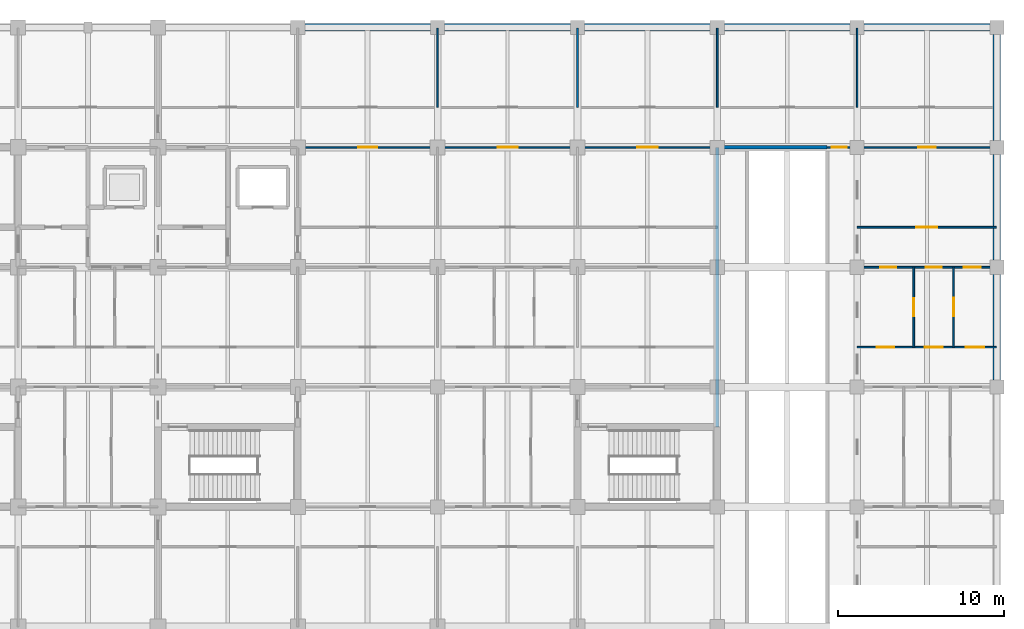
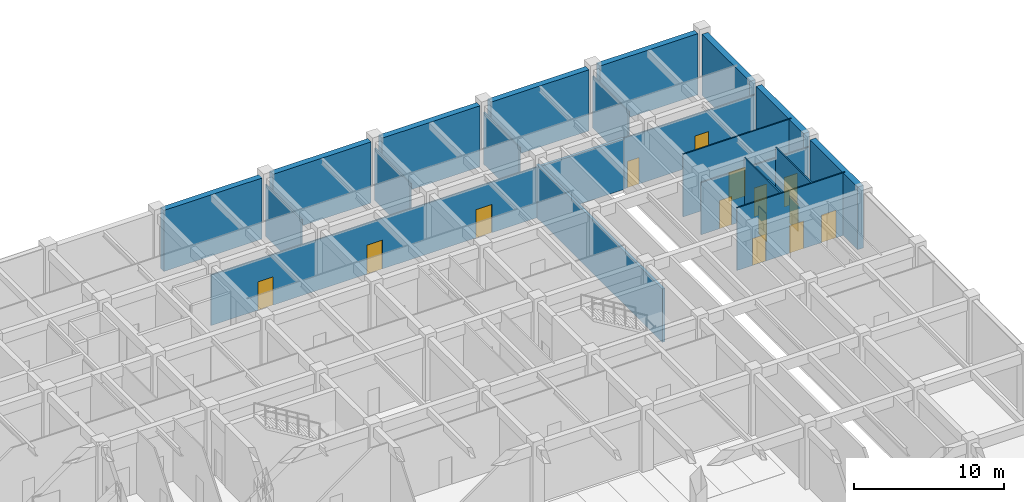
# One storey, part 38 of 48: 21 walls, 14 doors, 14 openings.
"""IFC4 building model written with IfcOpenShell, lengths in metres."""

from ifc_helpers import new_model, si_unit, direction, frame, frame_2d, origin, place, context, subcontext, project, spatial, rectangle, extrude, material, layer, layer_set, type_object, element, fill, save


model = new_model("IFC4")

# Units and contexts
model_context = context("Model", 3, precision=1e-05, world=origin(), true_north=direction((0.0, 1.0)))
body_context = subcontext(model_context, "Body", "Model", "MODEL_VIEW")
ifc_project = project(units=[si_unit("LENGTHUNIT", "METRE"), si_unit("AREAUNIT", "SQUARE_METRE"), si_unit("VOLUMEUNIT", "CUBIC_METRE"), si_unit("PLANEANGLEUNIT", "RADIAN"), si_unit("MASSUNIT", "GRAM", prefix="KILO")], contexts=[model_context])

# Site, building, storey
site_placement = place(None, origin())
site = spatial("IfcSite", under=ifc_project, at=site_placement, CompositionType="ELEMENT")
building_placement = place(site_placement, origin())
building = spatial("IfcBuilding", under=site, at=building_placement, Name="Chengyuan Square Courthouse", CompositionType="ELEMENT")
storey_placement = place(building_placement, frame((0.0, 0.0, -5.39990234375)))
storey = spatial("IfcBuildingStorey", under=building, at=storey_placement, Name="B01", CompositionType="ELEMENT", Elevation=-5.39990234375)

# Wall, openings, doors
ifc_material_1 = material(Name="Gypsum Plasterboard Acoustic Stud Partition")
ifc_layer_1 = layer(ifc_material_1, 0.10009765625)
ifc_layer_set_1 = layer_set([ifc_layer_1], Name="Gypsum Plasterboard Acoustic Stud Partition")
wall_type_1 = type_object("IfcWallType", Name="WL-PT6", PredefinedType="STANDARD", material=ifc_layer_set_1)
wall_1_placement = place(storey_placement, frame((159.60009765625, 96.0, 0.0), z_axis=(0.0, 0.0, 1.0), x_axis=(1.0, 0.0, 0.0)))
wall_1 = element("IfcWall", 1, at=wall_1_placement, inside=storey, type_object=wall_type_1, Name="Interior Wall WL-B01-I351", PredefinedType="STANDARD", context=body_context, shape_type="SweptSolid", body=[
    extrude(rectangle(XDim=8.35986328125, YDim=0.10009765625, at=frame_2d((4.179931640625, 0.0))), origin(), (0.0, 0.0, 1.0), 5.099853515625),
])
opening_1_placement = place(wall_1_placement, frame((1.179931640625, 0.0, 0.0)))
opening_1 = element("IfcOpeningElement", 2, at=opening_1_placement, cuts=wall_1, Name="Opening DR-532", PredefinedType="OPENING", context=body_context, shape_type="SweptSolid", body=[
    extrude(rectangle(XDim=1.0400390625, YDim=2.199951171875, at=frame_2d((0.52001953125, 1.10009765625))), frame((0.0, 0.06201171875, 0.0), z_axis=(0.0, -1.0, 0.0), x_axis=(1.0, 0.0, 0.0)), (0.0, 0.0, 1.0), 0.1240234375),
])
opening_2_placement = place(wall_1_placement, frame((4.06005859375, 0.0, 0.0)))
opening_2 = element("IfcOpeningElement", 3, at=opening_2_placement, cuts=wall_1, Name="Opening DR-533", PredefinedType="OPENING", context=body_context, shape_type="SweptSolid", body=[
    extrude(rectangle(XDim=1.080078125, YDim=2.25, at=frame_2d((0.5400390625, 1.125))), frame((0.0, 0.06201171875, 0.0), z_axis=(0.0, -1.0, 0.0), x_axis=(1.0, 0.0, 0.0)), (0.0, 0.0, 1.0), 0.1240234375),
])
opening_3_placement = place(wall_1_placement, frame((6.52001953125, 0.0, 0.0)))
opening_3 = element("IfcOpeningElement", 4, at=opening_3_placement, cuts=wall_1, Name="Opening DR-534", PredefinedType="OPENING", context=body_context, shape_type="SweptSolid", body=[
    extrude(rectangle(XDim=1.1201171875, YDim=2.25, at=frame_2d((0.56005859375, 1.125))), frame((0.0, 0.06201171875, 0.0), z_axis=(0.0, -1.0, 0.0), x_axis=(1.0, 0.0, 0.0)), (0.0, 0.0, 1.0), 0.1240234375),
])
ifc_material_2 = material(Name="Acoustic Solid-Core Timber Door", Category="wood")
door_type_1 = type_object("IfcDoorType", Name="DT-32", OperationType="NOTDEFINED", PredefinedType="DOOR", material=ifc_material_2)
door_1_placement = place(opening_1_placement, origin())
door_1 = element("IfcDoor", 5, at=door_1_placement, inside=storey, type_object=door_type_1, Name="Interior Door DR-532", OperationType="SINGLE_SWING_LEFT", OverallHeight=2.199951171875, OverallWidth=1.0400390625, PredefinedType="DOOR", context=body_context, shape_type="SweptSolid", body=[
    extrude(rectangle(XDim=1.0400390625, YDim=2.199951171875, at=frame_2d((0.52001953125, 1.10009765625))), frame((0.0, 0.02490234375, 0.0), z_axis=(0.0, -1.0, 0.0), x_axis=(1.0, 0.0, 0.0)), (0.0, 0.0, 1.0), 0.050048828125),
])
fill(opening_1, door_1)
door_type_2 = type_object("IfcDoorType", Name="DT-33", OperationType="NOTDEFINED", PredefinedType="DOOR", material=ifc_material_2)
door_2_placement = place(opening_2_placement, origin())
door_2 = element("IfcDoor", 6, at=door_2_placement, inside=storey, type_object=door_type_2, Name="Interior Door DR-533", OperationType="SINGLE_SWING_RIGHT", OverallHeight=2.25, OverallWidth=1.080078125, PredefinedType="DOOR", context=body_context, shape_type="SweptSolid", body=[
    extrude(rectangle(XDim=1.080078125, YDim=2.25, at=frame_2d((0.5400390625, 1.125))), frame((0.0, 0.02490234375, 0.0), z_axis=(0.0, -1.0, 0.0), x_axis=(1.0, 0.0, 0.0)), (0.0, 0.0, 1.0), 0.050048828125),
])
fill(opening_2, door_2)
door_type_3 = type_object("IfcDoorType", Name="DT-34", OperationType="NOTDEFINED", PredefinedType="DOOR", material=ifc_material_2)
door_3_placement = place(opening_3_placement, origin())
door_3 = element("IfcDoor", 7, at=door_3_placement, inside=storey, type_object=door_type_3, Name="Interior Door DR-534", OperationType="SINGLE_SWING_LEFT", OverallHeight=2.25, OverallWidth=1.1201171875, PredefinedType="DOOR", context=body_context, shape_type="SweptSolid", body=[
    extrude(rectangle(XDim=1.1201171875, YDim=2.25, at=frame_2d((0.56005859375, 1.125))), frame((0.0, 0.02490234375, 0.0), z_axis=(0.0, -1.0, 0.0), x_axis=(1.0, 0.0, 0.0)), (0.0, 0.0, 1.0), 0.050048828125),
])
fill(opening_3, door_3)

wall_2_placement = place(storey_placement, frame((159.60009765625, 100.800048828125, 0.0), z_axis=(0.0, 0.0, 1.0), x_axis=(1.0, 0.0, 0.0)))
wall_2 = element("IfcWall", 8, at=wall_2_placement, inside=storey, type_object=wall_type_1, Name="Interior Wall WL-B01-I368", PredefinedType="STANDARD", context=body_context, shape_type="SweptSolid", body=[
    extrude(rectangle(XDim=8.35986328125, YDim=0.10009765625, at=frame_2d((4.179931640625, 0.0))), origin(), (0.0, 0.0, 1.0), 4.25),
])
opening_4_placement = place(wall_2_placement, frame((1.402587890625, 0.0, 0.0)))
opening_4 = element("IfcOpeningElement", 9, at=opening_4_placement, cuts=wall_2, Name="Opening DR-471", PredefinedType="OPENING", context=body_context, shape_type="SweptSolid", body=[
    extrude(rectangle(XDim=0.93994140625, YDim=2.300048828125, at=frame_2d((0.469970703125, 1.14990234375))), frame((0.0, 0.06201171875, 0.0), z_axis=(0.0, -1.0, 0.0), x_axis=(1.0, 0.0, 0.0)), (0.0, 0.0, 1.0), 0.1240234375),
])
opening_5_placement = place(wall_2_placement, frame((4.110107421875, 0.0, 0.0)))
opening_5 = element("IfcOpeningElement", 10, at=opening_5_placement, cuts=wall_2, Name="Opening DR-472", PredefinedType="OPENING", context=body_context, shape_type="SweptSolid", body=[
    extrude(rectangle(XDim=0.97998046875, YDim=2.35009765625, at=frame_2d((0.489990234375, 1.175048828125))), frame((0.0, 0.06201171875, 0.0), z_axis=(0.0, -1.0, 0.0), x_axis=(1.0, 0.0, 0.0)), (0.0, 0.0, 1.0), 0.1240234375),
])
opening_6_placement = place(wall_2_placement, frame((6.41748046875, 0.0, 0.0)))
opening_6 = element("IfcOpeningElement", 11, at=opening_6_placement, cuts=wall_2, Name="Opening DR-473", PredefinedType="OPENING", context=body_context, shape_type="SweptSolid", body=[
    extrude(rectangle(XDim=1.02001953125, YDim=2.39990234375, at=frame_2d((0.510009765625, 1.199951171875))), frame((0.0, 0.06201171875, 0.0), z_axis=(0.0, -1.0, 0.0), x_axis=(1.0, 0.0, 0.0)), (0.0, 0.0, 1.0), 0.1240234375),
])
door_type_4 = type_object("IfcDoorType", Name="DT-39", OperationType="NOTDEFINED", PredefinedType="DOOR", material=ifc_material_2)
door_4_placement = place(opening_4_placement, origin())
door_4 = element("IfcDoor", 12, at=door_4_placement, inside=storey, type_object=door_type_4, Name="Interior Door DR-471", OperationType="SINGLE_SWING_RIGHT", OverallHeight=2.300048828125, OverallWidth=0.93994140625, PredefinedType="DOOR", context=body_context, shape_type="SweptSolid", body=[
    extrude(rectangle(XDim=0.93994140625, YDim=2.300048828125, at=frame_2d((0.469970703125, 1.14990234375))), frame((0.0, 0.02490234375, 0.0), z_axis=(0.0, -1.0, 0.0), x_axis=(1.0, 0.0, 0.0)), (0.0, 0.0, 1.0), 0.050048828125),
])
fill(opening_4, door_4)
door_type_5 = type_object("IfcDoorType", Name="DT-40", OperationType="NOTDEFINED", PredefinedType="DOOR", material=ifc_material_2)
door_5_placement = place(opening_5_placement, origin())
door_5 = element("IfcDoor", 13, at=door_5_placement, inside=storey, type_object=door_type_5, Name="Interior Door DR-472", OperationType="SINGLE_SWING_LEFT", OverallHeight=2.35009765625, OverallWidth=0.97998046875, PredefinedType="DOOR", context=body_context, shape_type="SweptSolid", body=[
    extrude(rectangle(XDim=0.97998046875, YDim=2.35009765625, at=frame_2d((0.489990234375, 1.175048828125))), frame((0.0, 0.02490234375, 0.0), z_axis=(0.0, -1.0, 0.0), x_axis=(1.0, 0.0, 0.0)), (0.0, 0.0, 1.0), 0.050048828125),
])
fill(opening_5, door_5)
door_type_6 = type_object("IfcDoorType", Name="DT-41", OperationType="NOTDEFINED", PredefinedType="DOOR", material=ifc_material_2)
door_6_placement = place(opening_6_placement, origin())
door_6 = element("IfcDoor", 14, at=door_6_placement, inside=storey, type_object=door_type_6, Name="Interior Door DR-473", OperationType="SINGLE_SWING_RIGHT", OverallHeight=2.39990234375, OverallWidth=1.02001953125, PredefinedType="DOOR", context=body_context, shape_type="SweptSolid", body=[
    extrude(rectangle(XDim=1.02001953125, YDim=2.39990234375, at=frame_2d((0.510009765625, 1.199951171875))), frame((0.0, 0.02490234375, 0.0), z_axis=(0.0, -1.0, 0.0), x_axis=(1.0, 0.0, 0.0)), (0.0, 0.0, 1.0), 0.050048828125),
])
fill(opening_6, door_6)

# Wall, opening, door
wall_3_placement = place(storey_placement, frame((159.60009765625, 103.199951171875, 0.0), z_axis=(0.0, 0.0, 1.0), x_axis=(1.0, 0.0, 0.0)))
wall_3 = element("IfcWall", 15, at=wall_3_placement, inside=storey, type_object=wall_type_1, Name="Interior Wall WL-B01-I380", PredefinedType="STANDARD", context=body_context, shape_type="SweptSolid", body=[
    extrude(rectangle(XDim=8.35986328125, YDim=0.10009765625, at=frame_2d((4.179931640625, 0.0))), origin(), (0.0, 0.0, 1.0), 5.099853515625),
])
opening_7_placement = place(wall_3_placement, frame((3.5400390625, 0.0, 0.0)))
opening_7 = element("IfcOpeningElement", 16, at=opening_7_placement, cuts=wall_3, Name="Opening DR-470", PredefinedType="OPENING", context=body_context, shape_type="SweptSolid", body=[
    extrude(rectangle(XDim=1.280029296875, YDim=2.35009765625, at=frame_2d((0.64013671875, 1.175048828125))), frame((0.0, 0.06201171875, 0.0), z_axis=(0.0, -1.0, 0.0), x_axis=(1.0, 0.0, 0.0)), (0.0, 0.0, 1.0), 0.1240234375),
])
door_type_7 = type_object("IfcDoorType", Name="DT-38", OperationType="NOTDEFINED", PredefinedType="DOOR", material=ifc_material_2)
door_7_placement = place(opening_7_placement, origin())
door_7 = element("IfcDoor", 17, at=door_7_placement, inside=storey, type_object=door_type_7, Name="Interior Door DR-470", OperationType="SINGLE_SWING_LEFT", OverallHeight=2.35009765625, OverallWidth=1.280029296875, PredefinedType="DOOR", context=body_context, shape_type="SweptSolid", body=[
    extrude(rectangle(XDim=1.280029296875, YDim=2.35009765625, at=frame_2d((0.64013671875, 1.175048828125))), frame((0.0, 0.02490234375, 0.0), z_axis=(0.0, -1.0, 0.0), x_axis=(1.0, 0.0, 0.0)), (0.0, 0.0, 1.0), 0.050048828125),
])
fill(opening_7, door_7)

# Wall, openings, doors
wall_4_placement = place(storey_placement, frame((126.0, 108.0, 0.0), z_axis=(0.0, 0.0, 1.0), x_axis=(1.0, 0.0, 0.0)))
wall_4 = element("IfcWall", 18, at=wall_4_placement, inside=storey, type_object=wall_type_1, Name="Interior Wall WL-B01-I424", PredefinedType="STANDARD", context=body_context, shape_type="SweptSolid", body=[
    extrude(rectangle(XDim=25.199951171875, YDim=0.10009765625, at=frame_2d((12.60009765625, 0.0))), origin(), (0.0, 0.0, 1.0), 4.1298828125),
])
opening_8_placement = place(wall_4_placement, frame((3.6201171875, 0.0, 0.0)))
opening_8 = element("IfcOpeningElement", 19, at=opening_8_placement, cuts=wall_4, Name="Opening DR-467", PredefinedType="OPENING", context=body_context, shape_type="SweptSolid", body=[
    extrude(rectangle(XDim=1.159912109375, YDim=2.300048828125, at=frame_2d((0.580078125, 1.14990234375))), frame((0.0, 0.06201171875, 0.0), z_axis=(0.0, -1.0, 0.0), x_axis=(1.0, 0.0, 0.0)), (0.0, 0.0, 1.0), 0.1240234375),
])
opening_9_placement = place(wall_4_placement, frame((12.0, 0.0, 0.0)))
opening_9 = element("IfcOpeningElement", 20, at=opening_9_placement, cuts=wall_4, Name="Opening DR-468", PredefinedType="OPENING", context=body_context, shape_type="SweptSolid", body=[
    extrude(rectangle(XDim=1.199951171875, YDim=2.35009765625, at=frame_2d((0.60009765625, 1.175048828125))), frame((0.0, 0.06201171875, 0.0), z_axis=(0.0, -1.0, 0.0), x_axis=(1.0, 0.0, 0.0)), (0.0, 0.0, 1.0), 0.1240234375),
])
opening_10_placement = place(wall_4_placement, frame((20.392578125, 0.0, 0.0)))
opening_10 = element("IfcOpeningElement", 21, at=opening_10_placement, cuts=wall_4, Name="Opening DR-469", PredefinedType="OPENING", context=body_context, shape_type="SweptSolid", body=[
    extrude(rectangle(XDim=1.239990234375, YDim=2.300048828125, at=frame_2d((0.6201171875, 1.14990234375))), frame((0.0, 0.06201171875, 0.0), z_axis=(0.0, -1.0, 0.0), x_axis=(1.0, 0.0, 0.0)), (0.0, 0.0, 1.0), 0.1240234375),
])
door_type_8 = type_object("IfcDoorType", Name="DT-35", OperationType="NOTDEFINED", PredefinedType="DOOR", material=ifc_material_2)
door_8_placement = place(opening_8_placement, origin())
door_8 = element("IfcDoor", 22, at=door_8_placement, inside=storey, type_object=door_type_8, Name="Interior Door DR-467", OperationType="SINGLE_SWING_RIGHT", OverallHeight=2.300048828125, OverallWidth=1.159912109375, PredefinedType="DOOR", context=body_context, shape_type="SweptSolid", body=[
    extrude(rectangle(XDim=1.159912109375, YDim=2.300048828125, at=frame_2d((0.580078125, 1.14990234375))), frame((0.0, 0.02490234375, 0.0), z_axis=(0.0, -1.0, 0.0), x_axis=(1.0, 0.0, 0.0)), (0.0, 0.0, 1.0), 0.050048828125),
])
fill(opening_8, door_8)
door_type_9 = type_object("IfcDoorType", Name="DT-36", OperationType="NOTDEFINED", PredefinedType="DOOR", material=ifc_material_2)
door_9_placement = place(opening_9_placement, origin())
door_9 = element("IfcDoor", 23, at=door_9_placement, inside=storey, type_object=door_type_9, Name="Interior Door DR-468", OperationType="SINGLE_SWING_LEFT", OverallHeight=2.35009765625, OverallWidth=1.199951171875, PredefinedType="DOOR", context=body_context, shape_type="SweptSolid", body=[
    extrude(rectangle(XDim=1.199951171875, YDim=2.35009765625, at=frame_2d((0.60009765625, 1.175048828125))), frame((0.0, 0.02490234375, 0.0), z_axis=(0.0, -1.0, 0.0), x_axis=(1.0, 0.0, 0.0)), (0.0, 0.0, 1.0), 0.050048828125),
])
fill(opening_9, door_9)
door_type_10 = type_object("IfcDoorType", Name="DT-37", OperationType="NOTDEFINED", PredefinedType="DOOR", material=ifc_material_2)
door_10_placement = place(opening_10_placement, origin())
door_10 = element("IfcDoor", 24, at=door_10_placement, inside=storey, type_object=door_type_10, Name="Interior Door DR-469", OperationType="SINGLE_SWING_RIGHT", OverallHeight=2.300048828125, OverallWidth=1.239990234375, PredefinedType="DOOR", context=body_context, shape_type="SweptSolid", body=[
    extrude(rectangle(XDim=1.239990234375, YDim=2.300048828125, at=frame_2d((0.6201171875, 1.14990234375))), frame((0.0, 0.02490234375, 0.0), z_axis=(0.0, -1.0, 0.0), x_axis=(1.0, 0.0, 0.0)), (0.0, 0.0, 1.0), 0.050048828125),
])
fill(opening_10, door_10)

wall_5_placement = place(storey_placement, frame((157.800048828125, 108.0, 0.0), z_axis=(0.0, 0.0, 1.0), x_axis=(1.0, 0.0, 0.0)))
wall_5 = element("IfcWall", 25, at=wall_5_placement, inside=storey, type_object=wall_type_1, Name="Interior Wall WL-B01-I426", PredefinedType="STANDARD", context=body_context, shape_type="SweptSolid", body=[
    extrude(rectangle(XDim=10.159912109375, YDim=0.10009765625, at=frame_2d((5.080078125, 0.0))), origin(), (0.0, 0.0, 1.0), 4.1298828125),
])
opening_11_placement = place(wall_5_placement, frame((0.267578125, 0.0, 0.0)))
opening_11 = element("IfcOpeningElement", 26, at=opening_11_placement, cuts=wall_5, Name="Opening DR-393", PredefinedType="OPENING", context=body_context, shape_type="SweptSolid", body=[
    extrude(rectangle(XDim=0.919921875, YDim=2.14990234375, at=frame_2d((0.4599609375, 1.074951171875))), frame((0.0, 0.06201171875, 0.0), z_axis=(0.0, -1.0, 0.0), x_axis=(1.0, 0.0, 0.0)), (0.0, 0.0, 1.0), 0.1240234375),
])
opening_12_placement = place(wall_5_placement, frame((5.469970703125, 0.0, 0.0)))
opening_12 = element("IfcOpeningElement", 27, at=opening_12_placement, cuts=wall_5, Name="Opening DR-474", PredefinedType="OPENING", context=body_context, shape_type="SweptSolid", body=[
    extrude(rectangle(XDim=1.06005859375, YDim=2.39990234375, at=frame_2d((0.530029296875, 1.199951171875))), frame((0.0, 0.06201171875, 0.0), z_axis=(0.0, -1.0, 0.0), x_axis=(1.0, 0.0, 0.0)), (0.0, 0.0, 1.0), 0.1240234375),
])
door_type_11 = type_object("IfcDoorType", Name="DT-29", OperationType="NOTDEFINED", PredefinedType="DOOR", material=ifc_material_2)
door_11_placement = place(opening_11_placement, origin())
door_11 = element("IfcDoor", 28, at=door_11_placement, inside=storey, type_object=door_type_11, Name="Interior Door DR-393", OperationType="SINGLE_SWING_LEFT", OverallHeight=2.14990234375, OverallWidth=0.919921875, PredefinedType="DOOR", context=body_context, shape_type="SweptSolid", body=[
    extrude(rectangle(XDim=0.919921875, YDim=2.14990234375, at=frame_2d((0.4599609375, 1.074951171875))), frame((0.0, 0.02490234375, 0.0), z_axis=(0.0, -1.0, 0.0), x_axis=(1.0, 0.0, 0.0)), (0.0, 0.0, 1.0), 0.050048828125),
])
fill(opening_11, door_11)
door_type_12 = type_object("IfcDoorType", Name="DT-42", OperationType="NOTDEFINED", PredefinedType="DOOR", material=ifc_material_2)
door_12_placement = place(opening_12_placement, origin())
door_12 = element("IfcDoor", 29, at=door_12_placement, inside=storey, type_object=door_type_12, Name="Interior Door DR-474", OperationType="SINGLE_SWING_LEFT", OverallHeight=2.39990234375, OverallWidth=1.06005859375, PredefinedType="DOOR", context=body_context, shape_type="SweptSolid", body=[
    extrude(rectangle(XDim=1.06005859375, YDim=2.39990234375, at=frame_2d((0.530029296875, 1.199951171875))), frame((0.0, 0.02490234375, 0.0), z_axis=(0.0, -1.0, 0.0), x_axis=(1.0, 0.0, 0.0)), (0.0, 0.0, 1.0), 0.050048828125),
])
fill(opening_12, door_12)

# Walls
for number, where, z_axis, x_axis, name in (
    (30, (134.39990234375, 110.39990234375, 0.0), (0.0, 0.0, 1.0), (0.0, 1.0, 0.0), "Interior Wall WL-B01-I594"),
    (31, (142.800048828125, 110.39990234375, 0.0), (0.0, 0.0, 1.0), (0.0, 1.0, 0.0), "Interior Wall WL-B01-I604"),
    (32, (151.199951171875, 110.39990234375, 0.0), (0.0, 0.0, 1.0), (0.0, 1.0, 0.0), "Interior Wall WL-B01-I611"),
    (33, (159.60009765625, 110.39990234375, 0.0), (0.0, 0.0, 1.0), (0.0, 1.0, 0.0), "Interior Wall WL-B01-I617"),
):
    element("IfcWall", number, at=place(storey_placement, frame(where, z_axis=z_axis, x_axis=x_axis)), inside=storey, type_object=wall_type_1, Name=name, PredefinedType="STANDARD", context=body_context, shape_type="SweptSolid", body=[
        extrude(rectangle(XDim=4.760009765625, YDim=0.10009765625, at=frame_2d((2.3798828125, 0.0))), origin(), (0.0, 0.0, 1.0), 4.22998046875),
    ])

# Wall, opening, door
wall_6_placement = place(storey_placement, frame((163.0, 96.0, 0.0), z_axis=(0.0, 0.0, 1.0), x_axis=(0.0, 1.0, 0.0)))
wall_6 = element("IfcWall", 34, at=wall_6_placement, inside=storey, type_object=wall_type_1, Name="Interior Wall WL-B01-I619", PredefinedType="STANDARD", context=body_context, shape_type="SweptSolid", body=[
    extrude(rectangle(XDim=4.800048828125, YDim=0.10009765625, at=frame_2d((2.39990234375, 0.0))), origin(), (0.0, 0.0, 1.0), 5.099853515625),
])
opening_13_placement = place(wall_6_placement, frame((1.860107421875, 0.0, 0.0)))
opening_13 = element("IfcOpeningElement", 35, at=opening_13_placement, cuts=wall_6, Name="Opening DR-550", PredefinedType="OPENING", context=body_context, shape_type="SweptSolid", body=[
    extrude(rectangle(XDim=1.080078125, YDim=2.25, at=frame_2d((0.5400390625, 1.125))), frame((0.0, 0.06201171875, 0.0), z_axis=(0.0, -1.0, 0.0), x_axis=(1.0, 0.0, 0.0)), (0.0, 0.0, 1.0), 0.1240234375),
])
door_13_placement = place(opening_13_placement, origin())
door_13 = element("IfcDoor", 36, at=door_13_placement, inside=storey, type_object=door_type_2, Name="Interior Door DR-550", OperationType="SINGLE_SWING_LEFT", OverallHeight=2.25, OverallWidth=1.080078125, PredefinedType="DOOR", context=body_context, shape_type="SweptSolid", body=[
    extrude(rectangle(XDim=1.080078125, YDim=2.25, at=frame_2d((0.5400390625, 1.125))), frame((0.0, 0.02490234375, 0.0), z_axis=(0.0, -1.0, 0.0), x_axis=(1.0, 0.0, 0.0)), (0.0, 0.0, 1.0), 0.050048828125),
])
fill(opening_13, door_13)

wall_7_placement = place(storey_placement, frame((165.39990234375, 96.0, 0.0), z_axis=(0.0, 0.0, 1.0), x_axis=(0.0, 1.0, 0.0)))
wall_7 = element("IfcWall", 37, at=wall_7_placement, inside=storey, type_object=wall_type_1, Name="Interior Wall WL-B01-I621", PredefinedType="STANDARD", context=body_context, shape_type="SweptSolid", body=[
    extrude(rectangle(XDim=4.800048828125, YDim=0.10009765625, at=frame_2d((2.39990234375, 0.0))), origin(), (0.0, 0.0, 1.0), 5.099853515625),
])
opening_14_placement = place(wall_7_placement, frame((1.840087890625, 0.0, 0.0)))
opening_14 = element("IfcOpeningElement", 38, at=opening_14_placement, cuts=wall_7, Name="Opening DR-551", PredefinedType="OPENING", context=body_context, shape_type="SweptSolid", body=[
    extrude(rectangle(XDim=1.1201171875, YDim=2.25, at=frame_2d((0.56005859375, 1.125))), frame((0.0, 0.06201171875, 0.0), z_axis=(0.0, -1.0, 0.0), x_axis=(1.0, 0.0, 0.0)), (0.0, 0.0, 1.0), 0.1240234375),
])
door_14_placement = place(opening_14_placement, origin())
door_14 = element("IfcDoor", 39, at=door_14_placement, inside=storey, type_object=door_type_3, Name="Interior Door DR-551", OperationType="SINGLE_SWING_RIGHT", OverallHeight=2.25, OverallWidth=1.1201171875, PredefinedType="DOOR", context=body_context, shape_type="SweptSolid", body=[
    extrude(rectangle(XDim=1.1201171875, YDim=2.25, at=frame_2d((0.56005859375, 1.125))), frame((0.0, 0.02490234375, 0.0), z_axis=(0.0, -1.0, 0.0), x_axis=(1.0, 0.0, 0.0)), (0.0, 0.0, 1.0), 0.050048828125),
])
fill(opening_14, door_14)

# Walls
ifc_material_3 = material(Name="Concrete C40", Category="concrete")
ifc_layer_2 = layer(ifc_material_3, 0.449951171875)
ifc_layer_set_2 = layer_set([ifc_layer_2], Name="Concrete C40")
wall_type_2 = type_object("IfcWallType", Name="WL-RW2", PredefinedType="USERDEFINED", material=ifc_layer_set_2)
wall_8_placement = place(storey_placement, frame((126.419921875, 115.199951171875, 0.0), z_axis=(0.0, 0.0, 1.0), x_axis=(1.0, 0.0, 0.0)))
element("IfcWall", 40, at=wall_8_placement, inside=storey, type_object=wall_type_2, Name="Basement Retaining Wall WL-B01-E120", ObjectType="RETAININGWALL", PredefinedType="USERDEFINED", context=body_context, shape_type="SweptSolid", body=[
    extrude(rectangle(XDim=7.56005859375, YDim=0.449951171875, at=frame_2d((3.780029296875, 0.0))), origin(), (0.0, 0.0, 1.0), 4.97998046875),
])
wall_9_placement = place(storey_placement, frame((134.820068359375, 115.199951171875, 0.0), z_axis=(0.0, 0.0, 1.0), x_axis=(1.0, 0.0, 0.0)))
element("IfcWall", 41, at=wall_9_placement, inside=storey, type_object=wall_type_2, Name="Basement Retaining Wall WL-B01-E122", ObjectType="RETAININGWALL", PredefinedType="USERDEFINED", context=body_context, shape_type="SweptSolid", body=[
    extrude(rectangle(XDim=7.559814453125, YDim=0.449951171875, at=frame_2d((3.77978515625, 0.0))), origin(), (0.0, 0.0, 1.0), 4.97998046875),
])
wall_10_placement = place(storey_placement, frame((143.219970703125, 115.199951171875, 0.0), z_axis=(0.0, 0.0, 1.0), x_axis=(1.0, 0.0, 0.0)))
element("IfcWall", 42, at=wall_10_placement, inside=storey, type_object=wall_type_2, Name="Basement Retaining Wall WL-B01-E124", ObjectType="RETAININGWALL", PredefinedType="USERDEFINED", context=body_context, shape_type="SweptSolid", body=[
    extrude(rectangle(XDim=7.56005859375, YDim=0.449951171875, at=frame_2d((3.780029296875, 0.0))), origin(), (0.0, 0.0, 1.0), 4.97998046875),
])
wall_11_placement = place(storey_placement, frame((151.6201171875, 115.199951171875, 0.0), z_axis=(0.0, 0.0, 1.0), x_axis=(1.0, 0.0, 0.0)))
element("IfcWall", 43, at=wall_11_placement, inside=storey, type_object=wall_type_2, Name="Basement Retaining Wall WL-B01-E126", ObjectType="RETAININGWALL", PredefinedType="USERDEFINED", context=body_context, shape_type="SweptSolid", body=[
    extrude(rectangle(XDim=7.559814453125, YDim=0.449951171875, at=frame_2d((3.77978515625, 0.0))), origin(), (0.0, 0.0, 1.0), 4.97998046875),
])
wall_12_placement = place(storey_placement, frame((168.0, 94.02001953125, 0.0), z_axis=(0.0, 0.0, 1.0), x_axis=(0.0, 1.0, 0.0)))
element("IfcWall", 44, at=wall_12_placement, inside=storey, type_object=wall_type_2, Name="Basement Retaining Wall WL-B01-E141", ObjectType="RETAININGWALL", PredefinedType="USERDEFINED", context=body_context, shape_type="SweptSolid", body=[
    extrude(rectangle(XDim=6.35986328125, YDim=0.449951171875, at=frame_2d((3.179931640625, 0.0))), origin(), (0.0, 0.0, 1.0), 5.099853515625),
])
wall_13_placement = place(storey_placement, frame((168.0, 101.219970703125, 0.0), z_axis=(0.0, 0.0, 1.0), x_axis=(0.0, 1.0, 0.0)))
element("IfcWall", 45, at=wall_13_placement, inside=storey, type_object=wall_type_2, Name="Basement Retaining Wall WL-B01-E142", ObjectType="RETAININGWALL", PredefinedType="USERDEFINED", context=body_context, shape_type="SweptSolid", body=[
    extrude(rectangle(XDim=6.360107421875, YDim=0.449951171875, at=frame_2d((3.18017578125, 0.0))), origin(), (0.0, 0.0, 1.0), 5.099853515625),
])
wall_14_placement = place(storey_placement, frame((160.02001953125, 115.199951171875, 0.0), z_axis=(0.0, 0.0, 1.0), x_axis=(1.0, 0.0, 0.0)))
element("IfcWall", 46, at=wall_14_placement, inside=storey, type_object=wall_type_2, Name="Basement Retaining Wall WL-B01-E143", ObjectType="RETAININGWALL", PredefinedType="USERDEFINED", context=body_context, shape_type="SweptSolid", body=[
    extrude(rectangle(XDim=7.56005859375, YDim=0.449951171875, at=frame_2d((3.780029296875, 0.0))), origin(), (0.0, 0.0, 1.0), 4.97998046875),
])
wall_15_placement = place(storey_placement, frame((168.0, 108.419921875, 0.0), z_axis=(0.0, 0.0, 1.0), x_axis=(0.0, 1.0, 0.0)))
element("IfcWall", 47, at=wall_15_placement, inside=storey, type_object=wall_type_2, Name="Basement Retaining Wall WL-B01-E144", ObjectType="RETAININGWALL", PredefinedType="USERDEFINED", context=body_context, shape_type="SweptSolid", body=[
    extrude(rectangle(XDim=6.360107421875, YDim=0.449951171875, at=frame_2d((3.18017578125, 0.0))), origin(), (0.0, 0.0, 1.0), 4.97998046875),
])
ifc_material_4 = material(Name="Reinforced Masonry Shaft Enclosure", Category="masonry")
ifc_layer_3 = layer(ifc_material_4, 0.199951171875)
ifc_layer_set_3 = layer_set([ifc_layer_3], Name="Reinforced Masonry Shaft Enclosure")
wall_type_3 = type_object("IfcWallType", Name="WL-SH1", PredefinedType="STANDARD", material=ifc_layer_set_3)
wall_16_placement = place(storey_placement, frame((151.199951171875, 108.0, 0.0), z_axis=(0.0, 0.0, 1.0), x_axis=(1.0, 0.0, 0.0)))
element("IfcWall", 48, at=wall_16_placement, inside=storey, type_object=wall_type_3, Name="Interior Wall WL-B01-I425", PredefinedType="STANDARD", context=body_context, shape_type="SweptSolid", body=[
    extrude(rectangle(XDim=6.60009765625, YDim=0.199951171875, at=frame_2d((3.300048828125, 0.0))), origin(), (0.0, 0.0, 1.0), 4.1298828125),
])
wall_17_placement = place(storey_placement, frame((151.199951171875, 91.199951171875, 0.0), z_axis=(0.0, 0.0, 1.0), x_axis=(0.0, 1.0, 0.0)))
element("IfcWall", 49, at=wall_17_placement, inside=storey, type_object=wall_type_3, Name="Interior Wall WL-B01-I610", PredefinedType="STANDARD", context=body_context, shape_type="SweptSolid", body=[
    extrude(rectangle(XDim=16.800048828125, YDim=0.199951171875, at=frame_2d((8.39990234375, 0.0))), origin(), (0.0, 0.0, 1.0), 4.349853515625),
])

save(model, "model.ifc")
